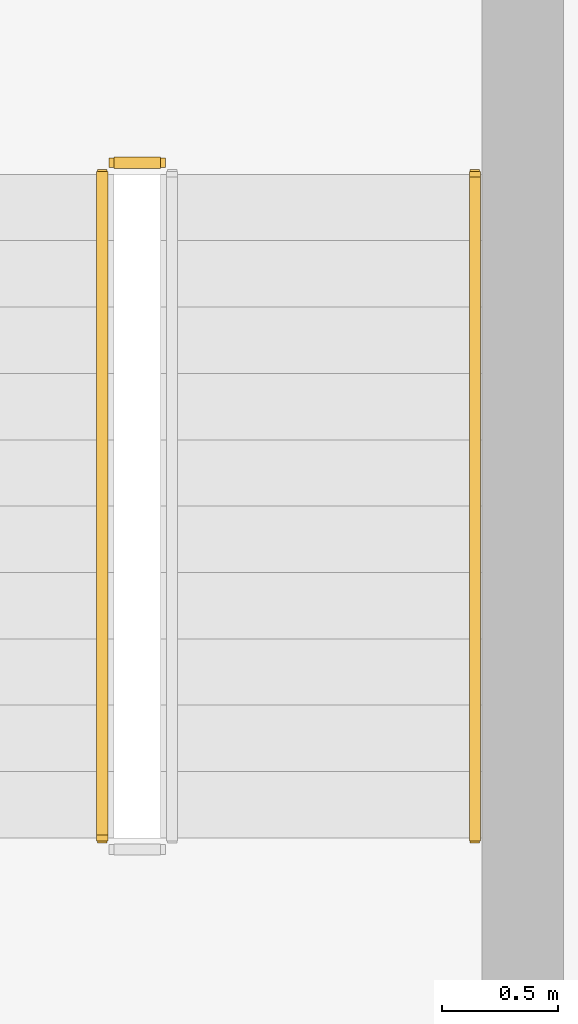
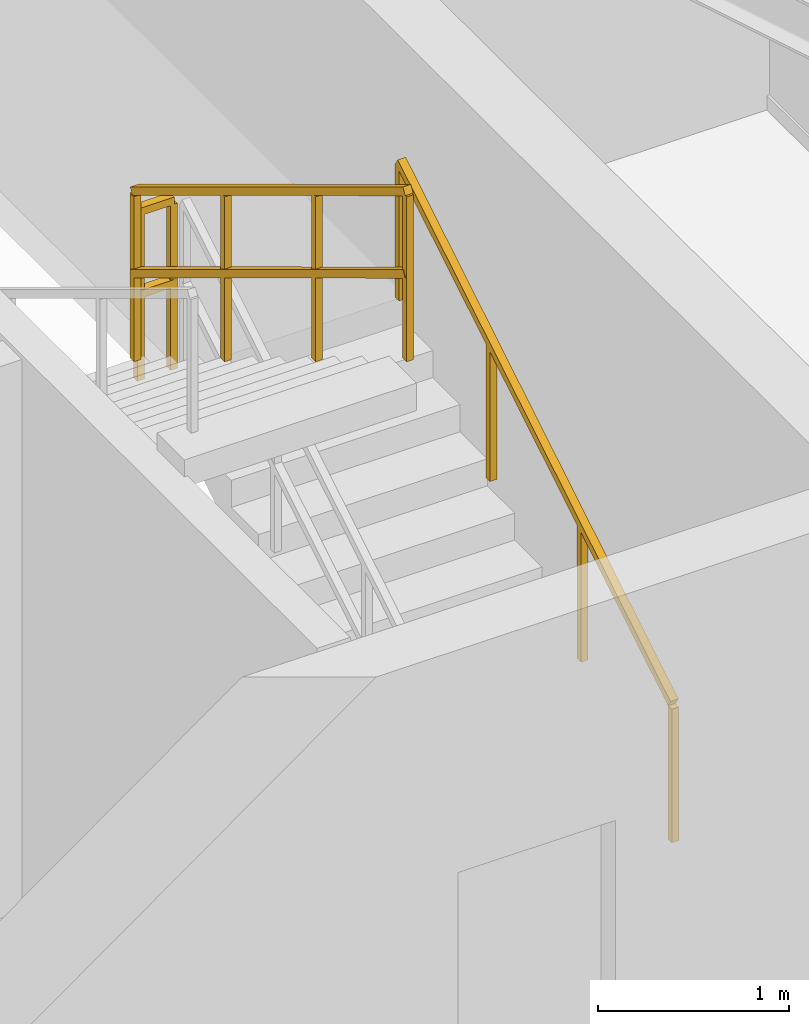
# One storey, part 21 of 21: 3 railings.
"""IFC4 building model written with IfcOpenShell, lengths in metres."""

from ifc_helpers import new_model, si_unit, direction, frame, origin, origin_2d, place, context, subcontext, project, spatial, rectangle, extrude, material, type_object, element, save


model = new_model("IFC4")

# Units and contexts
model_context = context("Model", 3, precision=1e-05, world=origin(), true_north=direction((0.0, 1.0)))
body_context = subcontext(model_context, "Body", "Model", "MODEL_VIEW")
ifc_project = project(units=[si_unit("LENGTHUNIT", "METRE"), si_unit("AREAUNIT", "SQUARE_METRE"), si_unit("VOLUMEUNIT", "CUBIC_METRE"), si_unit("PLANEANGLEUNIT", "RADIAN"), si_unit("MASSUNIT", "GRAM", prefix="KILO")], contexts=[model_context])

# Site, building, storey
site_placement = place(None, origin())
site = spatial("IfcSite", under=ifc_project, at=site_placement, CompositionType="ELEMENT")
building_placement = place(site_placement, origin())
building = spatial("IfcBuilding", under=site, at=building_placement, Name="Varnel Quay Broadcast Tower", CompositionType="ELEMENT")
storey_placement = place(building_placement, frame((0.0, 0.0, 296.39990234375)))
storey = spatial("IfcBuildingStorey", under=building, at=storey_placement, Name="L74", CompositionType="ELEMENT", Elevation=296.39990234375)

# Railings
ifc_material = material(Name="Painted Steel Guard and Handrail CSA G40.21 350W", Category="steel")
railing_type_1 = type_object("IfcRailingType", Name="Rail_StairGuard1100", PredefinedType="GUARDRAIL", material=ifc_material)
railing_1_placement = place(storey_placement, frame((50.60009765625, 40.64990234375, 1.900146484375)))
element("IfcRailing", 1, at=railing_1_placement, inside=storey, type_object=railing_type_1, Name="L74 ST-02 stair guard 2", PredefinedType="GUARDRAIL", context=body_context, shape_type="SweptSolid", body=[
    extrude(rectangle(XDim=0.048095703125, YDim=0.048095703125, at=origin_2d()), frame((0.0, 0.0, 1.076171875), z_axis=(-1.0, 0.0, 0.0), x_axis=(0.0, -1.0, 0.0)), (0.0, 0.0, 1.0), 0.2001953125),
    extrude(rectangle(XDim=0.048095703125, YDim=0.048095703125, at=origin_2d()), frame((0.0, 0.0, 0.550048828125), z_axis=(-1.0, 0.0, 0.0), x_axis=(0.0, -1.0, 0.0)), (0.0, 0.0, 1.0), 0.2001953125),
    extrude(rectangle(XDim=0.0419921875, YDim=0.0419921875, at=origin_2d()), origin(), (0.0, 0.0, 1.0), 1.052001953125),
    extrude(rectangle(XDim=0.0419921875, YDim=0.0419921875, at=origin_2d()), frame((-0.2001953125, 0.0, 0.0)), (0.0, 0.0, 1.0), 1.052001953125),
])
railing_2_placement = place(storey_placement, frame((50.35009765625, 40.60009765625, 2.07275390625)))
element("IfcRailing", 2, at=railing_2_placement, inside=storey, type_object=railing_type_1, Name="L74 ST-02 stair guard 3", PredefinedType="GUARDRAIL", context=body_context, shape_type="SweptSolid", body=[
    extrude(rectangle(XDim=0.048095703125, YDim=0.048095703125, at=origin_2d()), frame((0.0, 0.0, 1.076171875), z_axis=(0.0, -0.855202751398, 0.518293598264), x_axis=(1.0, 0.0, 0.0)), (0.0, 0.0, 1.0), 3.332763671875),
    extrude(rectangle(XDim=0.048095703125, YDim=0.048095703125, at=origin_2d()), frame((0.0, 0.0, 0.550048828125), z_axis=(0.0, -0.855202751398, 0.518293598264), x_axis=(1.0, 0.0, 0.0)), (0.0, 0.0, 1.0), 3.332763671875),
    extrude(rectangle(XDim=0.0419921875, YDim=0.0419921875, at=origin_2d()), origin(), (0.0, 0.0, 1.0), 1.052001953125),
    extrude(rectangle(XDim=0.0419921875, YDim=0.0419921875, at=origin_2d()), frame((0.0, -0.949951171875, 0.57568359375)), (0.0, 0.0, 1.0), 1.052001953125),
    extrude(rectangle(XDim=0.0419921875, YDim=0.0419921875, at=origin_2d()), frame((0.0, -1.900146484375, 1.151611328125)), (0.0, 0.0, 1.0), 1.052001953125),
    extrude(rectangle(XDim=0.0419921875, YDim=0.0419921875, at=origin_2d()), frame((0.0, -2.85009765625, 1.727294921875)), (0.0, 0.0, 1.0), 1.052001953125),
])
railing_type_2 = type_object("IfcRailingType", Name="Rail_StairHandrail900", PredefinedType="HANDRAIL", material=ifc_material)
railing_3_placement = place(storey_placement, frame((51.949951171875, 37.75, 0.1728515625)))
element("IfcRailing", 3, at=railing_3_placement, inside=storey, type_object=railing_type_2, Name="L74 ST-02 stair handrail 1", PredefinedType="HANDRAIL", context=body_context, shape_type="SweptSolid", body=[
    extrude(rectangle(XDim=0.048095703125, YDim=0.048095703125, at=origin_2d()), frame((0.0, 0.0, 0.8759765625), z_axis=(0.0, 0.855202751398, 0.518293598264), x_axis=(-1.0, 0.0, 0.0)), (0.0, 0.0, 1.0), 3.332763671875),
    extrude(rectangle(XDim=0.0419921875, YDim=0.0419921875, at=origin_2d()), origin(), (0.0, 0.0, 1.0), 0.851806640625),
    extrude(rectangle(XDim=0.0419921875, YDim=0.0419921875, at=origin_2d()), frame((0.0, 0.949951171875, 0.57568359375)), (0.0, 0.0, 1.0), 0.851806640625),
    extrude(rectangle(XDim=0.0419921875, YDim=0.0419921875, at=origin_2d()), frame((0.0, 1.900146484375, 1.151611328125)), (0.0, 0.0, 1.0), 0.851806640625),
    extrude(rectangle(XDim=0.0419921875, YDim=0.0419921875, at=origin_2d()), frame((0.0, 2.85009765625, 1.727294921875)), (0.0, 0.0, 1.0), 0.851806640625),
])

save(model, "model.ifc")
